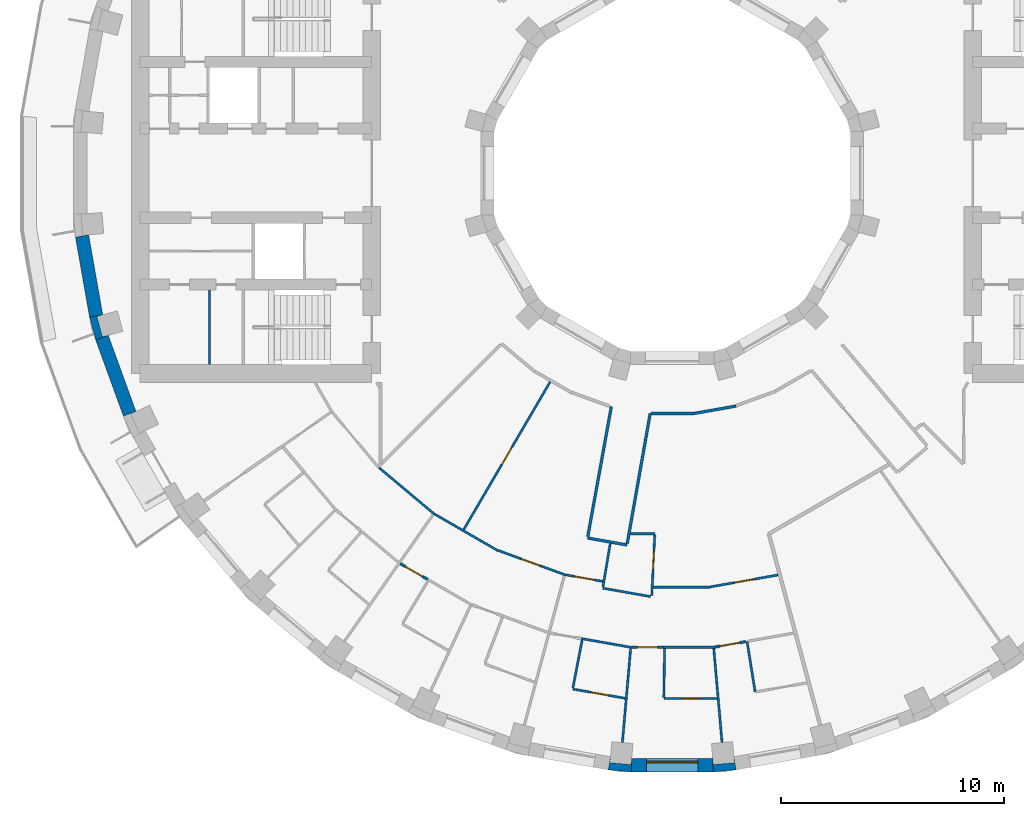
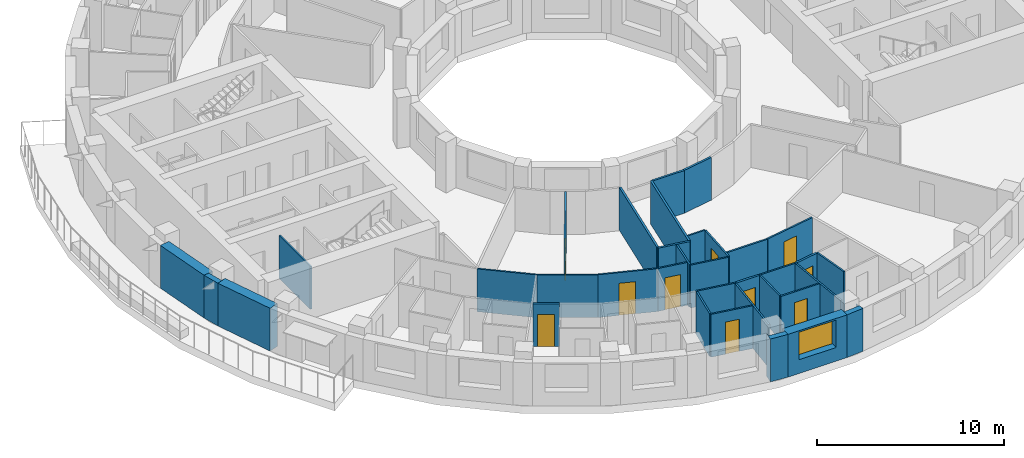
# One storey, part 3 of 12: 35 walls, 10 doors, 1 window, 11 openings.
"""IFC4 building model written with IfcOpenShell, lengths in metres."""

from ifc_helpers import new_model, si_unit, direction, frame, frame_2d, origin, place, context, subcontext, project, spatial, polyline, rectangle, outline, extrude, material, layer, layer_set, type_object, element, fill, save


model = new_model("IFC4")

# Units and contexts
model_context = context("Model", 3, precision=1e-05, world=origin(), true_north=direction((0.0, 1.0)))
body_context = subcontext(model_context, "Body", "Model", "MODEL_VIEW")
ifc_project = project(units=[si_unit("LENGTHUNIT", "METRE"), si_unit("AREAUNIT", "SQUARE_METRE"), si_unit("VOLUMEUNIT", "CUBIC_METRE"), si_unit("PLANEANGLEUNIT", "RADIAN"), si_unit("MASSUNIT", "GRAM", prefix="KILO")], contexts=[model_context])

# Site, building, storey
site_placement = place(None, origin())
site = spatial("IfcSite", under=ifc_project, at=site_placement, CompositionType="ELEMENT")
building_placement = place(site_placement, origin())
building = spatial("IfcBuilding", under=site, at=building_placement, Name="Saqina Gate Tower", CompositionType="ELEMENT")
storey_placement = place(building_placement, frame((0.0, 0.0, 111.699951171875)))
storey = spatial("IfcBuildingStorey", under=building, at=storey_placement, Name="L31", CompositionType="ELEMENT", Elevation=111.699951171875)

# Walls
ifc_material_1 = material(Name="Brick masonry (buff)", Category="masonry")
wall_type_1 = type_object("IfcWallType", Name="BRICK PIER COPING BUFF", PredefinedType="SOLIDWALL", material=ifc_material_1)
wall_1_placement = place(storey_placement, origin())
element("IfcWall", 1, at=wall_1_placement, inside=storey, type_object=wall_type_1, Name="Pier cap L31 column 20", PredefinedType="SOLIDWALL", context=body_context, shape_type="SweptSolid", body=[
    extrude(outline(polyline([(-26.171875, -6.466796875), (-25.89892578125, -7.485595703125), (-25.335205078125, -7.2802734375), (-25.5947265625, -7.349853515625), (-25.8408203125, -6.43212890625), (-25.5810546875, -6.36279296875), (-26.171875, -6.466796875)])), origin(), (0.0, 0.0, 1.0), 2.800048828125),
])
wall_2_placement = place(storey_placement, origin())
element("IfcWall", 2, at=wall_2_placement, inside=storey, type_object=wall_type_1, Name="Pier cap L31 column 27", PredefinedType="SOLIDWALL", context=body_context, shape_type="SweptSolid", body=[
    extrude(outline(polyline([(-2.87451171875, -26.805419921875), (-1.823974609375, -26.897216796875), (-1.823974609375, -26.29736328125), (-1.847412109375, -26.565185546875), (-2.793701171875, -26.482421875), (-2.770263671875, -26.214599609375), (-2.87451171875, -26.805419921875)])), origin(), (0.0, 0.0, 1.0), 2.800048828125),
])
wall_3_placement = place(storey_placement, origin())
element("IfcWall", 3, at=wall_3_placement, inside=storey, type_object=wall_type_1, Name="Pier cap L31 column 28", PredefinedType="SOLIDWALL", context=body_context, shape_type="SweptSolid", body=[
    extrude(outline(polyline([(2.87451171875, -26.805419921875), (2.770263671875, -26.214599609375), (2.793701171875, -26.482421875), (1.847412109375, -26.565185546875), (1.823974609375, -26.29736328125), (1.823974609375, -26.897216796875), (2.87451171875, -26.805419921875)])), origin(), (0.0, 0.0, 1.0), 2.800048828125),
])
ifc_material_2 = material(Name="Gypsum board on steel studs", Category="steel")
ifc_layer_1 = layer(ifc_material_2, 0.10009765625)
ifc_layer_set_1 = layer_set([ifc_layer_1], Name="CORE PARTITION")
wall_type_2 = type_object("IfcWallType", Name="CORE PARTITION", PredefinedType="PARTITIONING", material=ifc_layer_set_1)
wall_4_placement = place(storey_placement, frame((-20.782958984375, -8.60009765625, 0.0), z_axis=(0.0, 0.0, 1.0), x_axis=(0.0, 1.0, 0.0)))
element("IfcWall", 4, at=wall_4_placement, inside=storey, type_object=wall_type_2, Name="L31-CP-W13", PredefinedType="PARTITIONING", context=body_context, shape_type="SweptSolid", body=[
    extrude(rectangle(XDim=3.35009765625, YDim=0.10009765625, at=frame_2d((1.675048828125, 0.0))), origin(), (0.0, 0.0, 1.0), 2.800048828125),
])

# Wall, opening, window
ifc_material_3 = material(Name="Brick masonry (buff)", Category="masonry")
ifc_layer_2 = layer(ifc_material_3, 0.60009765625)
ifc_layer_set_2 = layer_set([ifc_layer_2], Name="FW-BRICK-BUFF")
wall_type_3 = type_object("IfcWallType", Name="FW-BRICK-BUFF", PredefinedType="SOLIDWALL", material=ifc_layer_set_2)
wall_5_placement = place(storey_placement, frame((-1.823974609375, -26.59716796875, 0.0), z_axis=(0.0, 0.0, 1.0), x_axis=(1.0, 0.0, 0.0)))
wall_5 = element("IfcWall", 5, at=wall_5_placement, inside=storey, type_object=wall_type_3, Name="Facade wall L31 facet 27", PredefinedType="SOLIDWALL", context=body_context, shape_type="SweptSolid", body=[
    extrude(rectangle(XDim=3.64794921875, YDim=0.60009765625, at=frame_2d((1.823974609375, 0.0))), origin(), (0.0, 0.0, 1.0), 2.800048828125),
])
opening_1_placement = place(wall_5_placement, frame((0.673828125, 0.0, 0.89990234375)))
opening_1 = element("IfcOpeningElement", 6, at=opening_1_placement, cuts=wall_5, Name="Opening G09-W19", PredefinedType="OPENING", context=body_context, shape_type="SweptSolid", body=[
    extrude(rectangle(XDim=2.300048828125, YDim=1.800048828125, at=frame_2d((1.14990234375, 0.89990234375))), frame((0.0, 0.31201171875, 0.0), z_axis=(0.0, -1.0, 0.0), x_axis=(1.0, 0.0, 0.0)), (0.0, 0.0, 1.0), 0.6240234375),
])
ifc_material_4 = material(Name="Aluminium glazing", Category="aluminium")
window_type = type_object("IfcWindowType", Name="WN-B", PartitioningType="SINGLE_PANEL", PredefinedType="WINDOW", material=ifc_material_4)
window_placement = place(opening_1_placement, origin())
window = element("IfcWindow", 7, at=window_placement, inside=storey, type_object=window_type, Name="Window L31 facet 27", OverallHeight=1.800048828125, OverallWidth=2.300048828125, PartitioningType="SINGLE_PANEL", PredefinedType="WINDOW", context=body_context, shape_type="SweptSolid", body=[
    extrude(rectangle(XDim=2.300048828125, YDim=1.800048828125, at=frame_2d((1.14990234375, 0.89990234375))), frame((0.0, 0.179931640625, 0.0), z_axis=(0.0, -1.0, 0.0), x_axis=(1.0, 0.0, 0.0)), (0.0, 0.0, 1.0), 0.06005859375),
])
fill(opening_1, window)

# Walls
ifc_material_5 = material(Name="Glazed ceramic tile", Category="ceramic")
ifc_layer_3 = layer(ifc_material_5, 0.60009765625)
ifc_layer_set_3 = layer_set([ifc_layer_3], Name="FW-TILE")
wall_type_4 = type_object("IfcWallType", Name="FW-TILE", PredefinedType="SOLIDWALL", material=ifc_layer_set_3)
wall_6_placement = place(storey_placement, frame((-25.616943359375, -7.3828125, 0.0), z_axis=(0.0, 0.0, 1.0), x_axis=(0.341990236633, -0.939703505393, 0.0)))
element("IfcWall", 8, at=wall_6_placement, inside=storey, type_object=wall_type_4, Name="Facade wall L31 facet 20", PredefinedType="SOLIDWALL", context=body_context, shape_type="SweptSolid", body=[
    extrude(rectangle(XDim=3.64794921875, YDim=0.60009765625, at=frame_2d((1.823974609375, 0.0))), origin(), (0.0, 0.0, 1.0), 2.800048828125),
])
ifc_material_6 = material(Name="Glazed ceramic tile (dark blue)", Category="ceramic")
ifc_layer_4 = layer(ifc_material_6, 0.60009765625)
ifc_layer_set_4 = layer_set([ifc_layer_4], Name="FW-TILE-CB")
wall_type_5 = type_object("IfcWallType", Name="FW-TILE-CB", PredefinedType="SOLIDWALL", material=ifc_layer_set_4)
wall_7_placement = place(storey_placement, frame((-26.510009765625, -2.822265625, 0.0), z_axis=(0.0, 0.0, 1.0), x_axis=(0.173670796382, -0.984803764455, 0.0)))
element("IfcWall", 9, at=wall_7_placement, inside=storey, type_object=wall_type_5, Name="Facade wall L31 facet 19", PredefinedType="SOLIDWALL", context=body_context, shape_type="SweptSolid", body=[
    extrude(rectangle(XDim=3.64794921875, YDim=0.60009765625, at=frame_2d((1.823974609375, 0.0))), origin(), (0.0, 0.0, 1.0), 2.800048828125),
])
ifc_material_7 = material(Name="Gypsum board on steel studs, 100 mm", Category="steel")
ifc_layer_5 = layer(ifc_material_7, 0.10009765625)
ifc_layer_set_5 = layer_set([ifc_layer_5], Name="PARTITION 100")
wall_type_6 = type_object("IfcWallType", Name="PARTITION 100", PredefinedType="PARTITIONING", material=ifc_layer_set_5)
wall_8_placement = place(storey_placement, frame((1.866455078125, -21.346923828125, 0.0), z_axis=(0.0, 0.0, 1.0), x_axis=(0.087475042973, -0.996166711378, 0.0)))
element("IfcWall", 10, at=wall_8_placement, inside=storey, type_object=wall_type_6, Name="PARTITION PW3-02", PredefinedType="PARTITIONING", context=body_context, shape_type="SweptSolid", body=[
    extrude(rectangle(XDim=4.23681640625, YDim=0.10009765625, at=frame_2d((2.118408203125, 0.0))), origin(), (0.0, 0.0, 1.0), 2.800048828125),
])
wall_9_placement = place(storey_placement, frame((3.362060546875, -21.032958984375, 0.0), z_axis=(0.0, 0.0, 1.0), x_axis=(0.157853871444, -0.987462482968, 0.0)))
element("IfcWall", 11, at=wall_9_placement, inside=storey, type_object=wall_type_6, Name="PARTITION PW3-04", PredefinedType="PARTITIONING", context=body_context, shape_type="SweptSolid", body=[
    extrude(rectangle(XDim=2.2998046875, YDim=0.10009765625, at=frame_2d((1.14990234375, 0.0))), origin(), (0.0, 0.0, 1.0), 2.800048828125),
])
wall_10_placement = place(storey_placement, frame((-13.163818359375, -13.234130859375, 0.0), z_axis=(0.0, 0.0, 1.0), x_axis=(0.766028328168, -0.642806814248, 0.0)))
element("IfcWall", 12, at=wall_10_placement, inside=storey, type_object=wall_type_6, Name="PARTITION PW3-26", PredefinedType="PARTITIONING", context=body_context, shape_type="SweptSolid", body=[
    extrude(rectangle(XDim=3.25537109375, YDim=0.10009765625, at=frame_2d((1.627685546875, 0.0))), origin(), (0.0, 0.0, 1.0), 2.800048828125),
])
wall_11_placement = place(storey_placement, frame((-10.665771484375, -15.319091796875, 0.0), z_axis=(0.0, 0.0, 1.0), x_axis=(0.866019502567, -0.500010221068, 0.0)))
element("IfcWall", 13, at=wall_11_placement, inside=storey, type_object=wall_type_6, Name="PARTITION PW3-33", PredefinedType="PARTITIONING", context=body_context, shape_type="SweptSolid", body=[
    extrude(rectangle(XDim=3.255859375, YDim=0.10009765625, at=frame_2d((1.6279296875, 0.0))), origin(), (0.0, 0.0, 1.0), 2.800048828125),
])

# Wall, opening, door
wall_12_placement = place(storey_placement, frame((-7.843017578125, -16.93798828125, 0.0), z_axis=(0.0, 0.0, 1.0), x_axis=(0.939697033511, -0.34200801922, 0.0)))
wall_12 = element("IfcWall", 14, at=wall_12_placement, inside=storey, type_object=wall_type_6, Name="PARTITION PW3-40", PredefinedType="PARTITIONING", context=body_context, shape_type="SweptSolid", body=[
    extrude(rectangle(XDim=3.255126953125, YDim=0.10009765625, at=frame_2d((1.62744140625, 0.0))), origin(), (0.0, 0.0, 1.0), 2.800048828125),
])
opening_2_placement = place(wall_12_placement, frame((1.127197265625, 0.0, 0.0)))
opening_2 = element("IfcOpeningElement", 15, at=opening_2_placement, cuts=wall_12, Name="Opening G09-D39", PredefinedType="OPENING", context=body_context, shape_type="SweptSolid", body=[
    extrude(rectangle(XDim=0.89990234375, YDim=2.10009765625, at=frame_2d((0.449951171875, 1.050048828125))), frame((0.0, 0.06201171875, 0.0), z_axis=(0.0, -1.0, 0.0), x_axis=(1.0, 0.0, 0.0)), (0.0, 0.0, 1.0), 0.1240234375),
])
ifc_material_8 = material(Name="Timber door leaf, 900 mm", Category="wood")
door_type_1 = type_object("IfcDoorType", Name="DOOR 900 TIMBER", OperationType="SINGLE_SWING_LEFT", PredefinedType="DOOR", material=ifc_material_8)
door_1_placement = place(opening_2_placement, origin())
door_1 = element("IfcDoor", 16, at=door_1_placement, inside=storey, type_object=door_type_1, Name="DOOR G09-D39", OperationType="SINGLE_SWING_LEFT", OverallHeight=2.10009765625, OverallWidth=0.89990234375, PredefinedType="DOOR", context=body_context, shape_type="SweptSolid", body=[
    extrude(rectangle(XDim=0.89990234375, YDim=2.10009765625, at=frame_2d((0.449951171875, 1.050048828125))), frame((0.0, 0.02490234375, 0.0), z_axis=(0.0, -1.0, 0.0), x_axis=(1.0, 0.0, 0.0)), (0.0, 0.0, 1.0), 0.050048828125),
])
fill(opening_2, door_1)

wall_13_placement = place(storey_placement, frame((-4.469970703125, -23.173095703125, 0.0), z_axis=(0.0, 0.0, 1.0), x_axis=(0.984826665662, -0.173540884522, 0.0)))
wall_13 = element("IfcWall", 17, at=wall_13_placement, inside=storey, type_object=wall_type_6, Name="PARTITION PW3-45", PredefinedType="PARTITIONING", context=body_context, shape_type="SweptSolid", body=[
    extrude(rectangle(XDim=2.39306640625, YDim=0.10009765625, at=frame_2d((1.196533203125, 0.0))), origin(), (0.0, 0.0, 1.0), 2.800048828125),
])
opening_3_placement = place(wall_13_placement, frame((0.821533203125, 0.0, 0.0)))
opening_3 = element("IfcOpeningElement", 18, at=opening_3_placement, cuts=wall_13, Name="Opening G09-D43", PredefinedType="OPENING", context=body_context, shape_type="SweptSolid", body=[
    extrude(rectangle(XDim=0.800048828125, YDim=2.10009765625, at=frame_2d((0.39990234375, 1.050048828125))), frame((0.0, 0.06201171875, 0.0), z_axis=(0.0, -1.0, 0.0), x_axis=(1.0, 0.0, 0.0)), (0.0, 0.0, 1.0), 0.1240234375),
])
ifc_material_9 = material(Name="Timber door leaf, 800 mm", Category="wood")
door_type_2 = type_object("IfcDoorType", Name="DOOR 800 TIMBER", OperationType="SINGLE_SWING_LEFT", PredefinedType="DOOR", material=ifc_material_9)
door_2_placement = place(opening_3_placement, frame((0.800048828125, 0.0, 0.0), z_axis=(0.0, 0.0, 1.0), x_axis=(-1.0, 0.0, 0.0)))
door_2 = element("IfcDoor", 19, at=door_2_placement, inside=storey, type_object=door_type_2, Name="DOOR G09-D43", OperationType="SINGLE_SWING_LEFT", OverallHeight=2.10009765625, OverallWidth=0.800048828125, PredefinedType="DOOR", context=body_context, shape_type="SweptSolid", body=[
    extrude(rectangle(XDim=0.800048828125, YDim=2.10009765625, at=frame_2d((0.39990234375, 1.050048828125))), frame((0.0, 0.02490234375, 0.0), z_axis=(0.0, -1.0, 0.0), x_axis=(1.0, 0.0, 0.0)), (0.0, 0.0, 1.0), 0.050048828125),
])
fill(opening_3, door_2)

# Walls
wall_14_placement = place(storey_placement, frame((-4.084228515625, -20.9052734375, 0.0), z_axis=(0.0, 0.0, 1.0), x_axis=(0.984796344358, -0.173712866935, 0.0)))
element("IfcWall", 20, at=wall_14_placement, inside=storey, type_object=wall_type_6, Name="PARTITION PW3-46", PredefinedType="PARTITIONING", context=body_context, shape_type="SweptSolid", body=[
    extrude(rectangle(XDim=2.306396484375, YDim=0.10009765625, at=frame_2d((1.1533203125, 0.0))), origin(), (0.0, 0.0, 1.0), 2.800048828125),
])
wall_15_placement = place(storey_placement, frame((-3.118896484375, -18.64111328125, 0.0), z_axis=(0.0, 0.0, 1.0), x_axis=(0.984804954455, -0.173664048326, 0.0)))
element("IfcWall", 21, at=wall_15_placement, inside=storey, type_object=wall_type_6, Name="PARTITION PW3-47", PredefinedType="PARTITIONING", context=body_context, shape_type="SweptSolid", body=[
    extrude(rectangle(XDim=2.181884765625, YDim=0.10009765625, at=frame_2d((1.0908203125, 0.0))), origin(), (0.0, 0.0, 1.0), 2.800048828125),
])

# Wall, opening, door
wall_16_placement = place(storey_placement, frame((-4.78271484375, -18.042724609375, 0.0), z_axis=(0.0, 0.0, 1.0), x_axis=(0.98477046178, -0.173859534124, 0.0)))
wall_16 = element("IfcWall", 22, at=wall_16_placement, inside=storey, type_object=wall_type_6, Name="PARTITION PW3-48", PredefinedType="PARTITIONING", context=body_context, shape_type="SweptSolid", body=[
    extrude(rectangle(XDim=1.689208984375, YDim=0.10009765625, at=frame_2d((0.8447265625, 0.0))), origin(), (0.0, 0.0, 1.0), 2.800048828125),
])
opening_4_placement = place(wall_16_placement, frame((0.39453125, 0.0, 0.0)))
opening_4 = element("IfcOpeningElement", 23, at=opening_4_placement, cuts=wall_16, Name="Opening G09-D42", PredefinedType="OPENING", context=body_context, shape_type="SweptSolid", body=[
    extrude(rectangle(XDim=0.89990234375, YDim=2.10009765625, at=frame_2d((0.449951171875, 1.050048828125))), frame((0.0, 0.06201171875, 0.0), z_axis=(0.0, -1.0, 0.0), x_axis=(1.0, 0.0, 0.0)), (0.0, 0.0, 1.0), 0.1240234375),
])
door_3_placement = place(opening_4_placement, origin())
door_3 = element("IfcDoor", 24, at=door_3_placement, inside=storey, type_object=door_type_1, Name="DOOR G09-D42", OperationType="SINGLE_SWING_RIGHT", OverallHeight=2.10009765625, OverallWidth=0.89990234375, PredefinedType="DOOR", context=body_context, shape_type="SweptSolid", body=[
    extrude(rectangle(XDim=0.89990234375, YDim=2.10009765625, at=frame_2d((0.449951171875, 1.050048828125))), frame((0.0, 0.02490234375, 0.0), z_axis=(0.0, -1.0, 0.0), x_axis=(1.0, 0.0, 0.0)), (0.0, 0.0, 1.0), 0.050048828125),
])
fill(opening_4, door_3)

wall_17_placement = place(storey_placement, frame((-0.3779296875, -23.596923828125, 0.0), z_axis=(0.0, 0.0, 1.0), x_axis=(1.0, 0.0, 0.0)))
wall_17 = element("IfcWall", 25, at=wall_17_placement, inside=storey, type_object=wall_type_6, Name="PARTITION PW3-51", PredefinedType="PARTITIONING", context=body_context, shape_type="SweptSolid", body=[
    extrude(rectangle(XDim=2.391845703125, YDim=0.10009765625, at=frame_2d((1.19580078125, 0.0))), origin(), (0.0, 0.0, 1.0), 2.800048828125),
])
opening_5_placement = place(wall_17_placement, frame((0.821044921875, 0.0, 0.0)))
opening_5 = element("IfcOpeningElement", 26, at=opening_5_placement, cuts=wall_17, Name="Opening G09-D46", PredefinedType="OPENING", context=body_context, shape_type="SweptSolid", body=[
    extrude(rectangle(XDim=0.800048828125, YDim=2.10009765625, at=frame_2d((0.39990234375, 1.050048828125))), frame((0.0, 0.06201171875, 0.0), z_axis=(0.0, -1.0, 0.0), x_axis=(1.0, 0.0, 0.0)), (0.0, 0.0, 1.0), 0.1240234375),
])
door_4_placement = place(opening_5_placement, frame((0.800048828125, 0.0, 0.0), z_axis=(0.0, 0.0, 1.0), x_axis=(-1.0, 0.0, 0.0)))
door_4 = element("IfcDoor", 27, at=door_4_placement, inside=storey, type_object=door_type_2, Name="DOOR G09-D46", OperationType="SINGLE_SWING_LEFT", OverallHeight=2.10009765625, OverallWidth=0.800048828125, PredefinedType="DOOR", context=body_context, shape_type="SweptSolid", body=[
    extrude(rectangle(XDim=0.800048828125, YDim=2.10009765625, at=frame_2d((0.39990234375, 1.050048828125))), frame((0.0, 0.02490234375, 0.0), z_axis=(0.0, -1.0, 0.0), x_axis=(1.0, 0.0, 0.0)), (0.0, 0.0, 1.0), 0.050048828125),
])
fill(opening_5, door_4)

# Walls
wall_18_placement = place(storey_placement, frame((-0.39111328125, -21.297119140625, 0.0), z_axis=(0.0, 0.0, 1.0), x_axis=(1.0, 0.0, 0.0)))
element("IfcWall", 28, at=wall_18_placement, inside=storey, type_object=wall_type_6, Name="PARTITION PW3-52", PredefinedType="PARTITIONING", context=body_context, shape_type="SweptSolid", body=[
    extrude(rectangle(XDim=2.304931640625, YDim=0.10009765625, at=frame_2d((1.15234375, 0.0))), origin(), (0.0, 0.0, 1.0), 2.800048828125),
])
wall_19_placement = place(storey_placement, frame((-0.84912109375, -18.59912109375, 0.0), z_axis=(0.0, 0.0, 1.0), x_axis=(1.0, 0.0, 0.0)))
element("IfcWall", 29, at=wall_19_placement, inside=storey, type_object=wall_type_6, Name="PARTITION PW3-53", PredefinedType="PARTITIONING", context=body_context, shape_type="SweptSolid", body=[
    extrude(rectangle(XDim=2.52685546875, YDim=0.10009765625, at=frame_2d((1.263427734375, 0.0))), origin(), (0.0, 0.0, 1.0), 2.800048828125),
])
wall_20_placement = place(storey_placement, frame((-1.880615234375, -16.201904296875, 0.0), z_axis=(0.0, 0.0, 1.0), x_axis=(1.0, 0.0, 0.0)))
element("IfcWall", 30, at=wall_20_placement, inside=storey, type_object=wall_type_6, Name="PARTITION PW3-54", PredefinedType="PARTITIONING", context=body_context, shape_type="SweptSolid", body=[
    extrude(rectangle(XDim=1.09765625, YDim=0.10009765625, at=frame_2d((0.548828125, 0.0))), origin(), (0.0, 0.0, 1.0), 2.800048828125),
])

# Wall, opening, door
wall_21_placement = place(storey_placement, frame((1.67626953125, -18.59033203125, 0.0), z_axis=(0.0, 0.0, 1.0), x_axis=(0.984818097546, 0.173589500677, 0.0)))
wall_21 = element("IfcWall", 31, at=wall_21_placement, inside=storey, type_object=wall_type_6, Name="PARTITION PW3-60", PredefinedType="PARTITIONING", context=body_context, shape_type="SweptSolid", body=[
    extrude(rectangle(XDim=3.12939453125, YDim=0.10009765625, at=frame_2d((1.564697265625, 0.0))), origin(), (0.0, 0.0, 1.0), 2.800048828125),
])
opening_6_placement = place(wall_21_placement, frame((1.127197265625, 0.0, 0.0)))
opening_6 = element("IfcOpeningElement", 32, at=opening_6_placement, cuts=wall_21, Name="Opening G09-D48", PredefinedType="OPENING", context=body_context, shape_type="SweptSolid", body=[
    extrude(rectangle(XDim=0.89990234375, YDim=2.10009765625, at=frame_2d((0.449951171875, 1.050048828125))), frame((0.0, 0.06201171875, 0.0), z_axis=(0.0, -1.0, 0.0), x_axis=(1.0, 0.0, 0.0)), (0.0, 0.0, 1.0), 0.1240234375),
])
door_5_placement = place(opening_6_placement, origin())
door_5 = element("IfcDoor", 33, at=door_5_placement, inside=storey, type_object=door_type_1, Name="DOOR G09-D48", OperationType="SINGLE_SWING_RIGHT", OverallHeight=2.10009765625, OverallWidth=0.89990234375, PredefinedType="DOOR", context=body_context, shape_type="SweptSolid", body=[
    extrude(rectangle(XDim=0.89990234375, YDim=2.10009765625, at=frame_2d((0.449951171875, 1.050048828125))), frame((0.0, 0.02490234375, 0.0), z_axis=(0.0, -1.0, 0.0), x_axis=(1.0, 0.0, 0.0)), (0.0, 0.0, 1.0), 0.050048828125),
])
fill(opening_6, door_5)

wall_22_placement = place(storey_placement, frame((-9.36572265625, -16.01171875, 0.0), z_axis=(0.0, 0.0, 1.0), x_axis=(0.504907426376, 0.863173499819, 0.0)))
wall_22 = element("IfcWall", 34, at=wall_22_placement, inside=storey, type_object=wall_type_6, Name="PARTITION PW3-86", PredefinedType="PARTITIONING", context=body_context, shape_type="SweptSolid", body=[
    extrude(rectangle(XDim=7.686767578125, YDim=0.10009765625, at=frame_2d((3.84326171875, 0.0))), origin(), (0.0, 0.0, 1.0), 2.800048828125),
])
opening_7_placement = place(wall_22_placement, frame((3.400390625, 0.0, 0.0)))
opening_7 = element("IfcOpeningElement", 35, at=opening_7_placement, cuts=wall_22, Name="Opening G09-D36", PredefinedType="OPENING", context=body_context, shape_type="SweptSolid", body=[
    extrude(rectangle(XDim=0.89990234375, YDim=2.10009765625, at=frame_2d((0.449951171875, 1.050048828125))), frame((0.0, 0.06201171875, 0.0), z_axis=(0.0, -1.0, 0.0), x_axis=(1.0, 0.0, 0.0)), (0.0, 0.0, 1.0), 0.1240234375),
])
door_6_placement = place(opening_7_placement, frame((0.89990234375, 0.0, 0.0), z_axis=(0.0, 0.0, 1.0), x_axis=(-1.0, 0.0, 0.0)))
door_6 = element("IfcDoor", 36, at=door_6_placement, inside=storey, type_object=door_type_1, Name="DOOR G09-D36", OperationType="SINGLE_SWING_LEFT", OverallHeight=2.10009765625, OverallWidth=0.89990234375, PredefinedType="DOOR", context=body_context, shape_type="SweptSolid", body=[
    extrude(rectangle(XDim=0.89990234375, YDim=2.10009765625, at=frame_2d((0.449951171875, 1.050048828125))), frame((0.0, 0.02490234375, 0.0), z_axis=(0.0, -1.0, 0.0), x_axis=(1.0, 0.0, 0.0)), (0.0, 0.0, 1.0), 0.050048828125),
])
fill(opening_7, door_6)

# Walls
wall_23_placement = place(storey_placement, frame((-4.46044921875, -23.1240234375, 0.0), z_axis=(0.0, 0.0, 1.0), x_axis=(0.189008785522, 0.981975396329, 0.0)))
element("IfcWall", 37, at=wall_23_placement, inside=storey, type_object=wall_type_6, Name="PARTITION PW3-100", PredefinedType="PARTITIONING", context=body_context, shape_type="SweptSolid", body=[
    extrude(rectangle(XDim=2.188232421875, YDim=0.10009765625, at=frame_2d((1.09423828125, 0.0))), origin(), (0.0, 0.0, 1.0), 2.800048828125),
])
wall_24_placement = place(storey_placement, frame((-3.110595703125, -18.590576171875, 0.0), z_axis=(0.0, 0.0, 1.0), x_axis=(0.164837501203, 0.986320737994, 0.0)))
element("IfcWall", 38, at=wall_24_placement, inside=storey, type_object=wall_type_6, Name="PARTITION PW3-101", PredefinedType="PARTITIONING", context=body_context, shape_type="SweptSolid", body=[
    extrude(rectangle(XDim=1.986083984375, YDim=0.10009765625, at=frame_2d((0.9931640625, 0.0))), origin(), (0.0, 0.0, 1.0), 2.800048828125),
])
wall_25_placement = place(storey_placement, frame((-2.237060546875, -25.5673828125, 0.0), z_axis=(0.0, 0.0, 1.0), x_axis=(0.087445126958, 0.9961693379, 0.0)))
element("IfcWall", 39, at=wall_25_placement, inside=storey, type_object=wall_type_6, Name="PARTITION PW3-103", PredefinedType="PARTITIONING", context=body_context, shape_type="SweptSolid", body=[
    extrude(rectangle(XDim=4.22412109375, YDim=0.10009765625, at=frame_2d((2.112060546875, 0.0))), origin(), (0.0, 0.0, 1.0), 2.800048828125),
])

# Wall, opening, door
wall_26_placement = place(storey_placement, frame((-0.917724609375, -18.97900390625, 0.0), z_axis=(0.0, 0.0, 1.0), x_axis=(0.049018559161, 0.998797867868, 0.0)))
wall_26 = element("IfcWall", 40, at=wall_26_placement, inside=storey, type_object=wall_type_6, Name="PARTITION PW3-105", PredefinedType="PARTITIONING", context=body_context, shape_type="SweptSolid", body=[
    extrude(rectangle(XDim=2.729248046875, YDim=0.10009765625, at=frame_2d((1.36474609375, 0.0))), origin(), (0.0, 0.0, 1.0), 2.800048828125),
])
opening_8_placement = place(wall_26_placement, frame((1.179443359375, 0.0, 0.0)))
opening_8 = element("IfcOpeningElement", 41, at=opening_8_placement, cuts=wall_26, Name="Opening G09-D45", PredefinedType="OPENING", context=body_context, shape_type="SweptSolid", body=[
    extrude(rectangle(XDim=0.800048828125, YDim=2.10009765625, at=frame_2d((0.39990234375, 1.050048828125))), frame((0.0, 0.06201171875, 0.0), z_axis=(0.0, -1.0, 0.0), x_axis=(1.0, 0.0, 0.0)), (0.0, 0.0, 1.0), 0.1240234375),
])
door_7_placement = place(opening_8_placement, frame((0.800048828125, 0.0, 0.0), z_axis=(0.0, 0.0, 1.0), x_axis=(-1.0, 0.0, 0.0)))
door_7 = element("IfcDoor", 42, at=door_7_placement, inside=storey, type_object=door_type_2, Name="DOOR G09-D45", OperationType="SINGLE_SWING_LEFT", OverallHeight=2.10009765625, OverallWidth=0.800048828125, PredefinedType="DOOR", context=body_context, shape_type="SweptSolid", body=[
    extrude(rectangle(XDim=0.800048828125, YDim=2.10009765625, at=frame_2d((0.39990234375, 1.050048828125))), frame((0.0, 0.02490234375, 0.0), z_axis=(0.0, -1.0, 0.0), x_axis=(1.0, 0.0, 0.0)), (0.0, 0.0, 1.0), 0.050048828125),
])
fill(opening_8, door_7)

# Wall
wall_27_placement = place(storey_placement, frame((-0.377197265625, -23.547119140625, 0.0), z_axis=(0.0, 0.0, 1.0), x_axis=(0.016067560631, 0.999870908415, 0.0)))
element("IfcWall", 43, at=wall_27_placement, inside=storey, type_object=wall_type_6, Name="PARTITION PW3-106", PredefinedType="PARTITIONING", context=body_context, shape_type="SweptSolid", body=[
    extrude(rectangle(XDim=2.18798828125, YDim=0.10009765625, at=frame_2d((1.093994140625, 0.0))), origin(), (0.0, 0.0, 1.0), 2.800048828125),
])

# Wall, opening, door
ifc_material_10 = material(Name="Gypsum board on steel studs, 125 mm, fire rated", Category="steel")
ifc_layer_6 = layer(ifc_material_10, 0.125)
ifc_layer_set_6 = layer_set([ifc_layer_6], Name="PARTITION EI 30 125")
wall_type_7 = type_object("IfcWallType", Name="PARTITION EI 30 125", PredefinedType="PARTITIONING", material=ifc_layer_set_6)
wall_28_placement = place(storey_placement, frame((-12.21875, -17.537109375, 0.0), z_axis=(0.0, 0.0, 1.0), x_axis=(0.866036909293, -0.499980071345, 0.0)))
wall_28 = element("IfcWall", 44, at=wall_28_placement, inside=storey, type_object=wall_type_7, Name="PARTITION PW1-11", PredefinedType="PARTITIONING", context=body_context, shape_type="SweptSolid", body=[
    extrude(rectangle(XDim=1.421875, YDim=0.125, at=frame_2d((0.7109375, 0.0))), origin(), (0.0, 0.0, 1.0), 2.800048828125),
])
opening_9_placement = place(wall_28_placement, frame((0.260986328125, 0.0, 0.0)))
opening_9 = element("IfcOpeningElement", 45, at=opening_9_placement, cuts=wall_28, Name="Opening G09-D35", PredefinedType="OPENING", context=body_context, shape_type="SweptSolid", body=[
    extrude(rectangle(XDim=0.89990234375, YDim=2.10009765625, at=frame_2d((0.449951171875, 1.050048828125))), frame((0.0, 0.074462890625, 0.0), z_axis=(0.0, -1.0, 0.0), x_axis=(1.0, 0.0, 0.0)), (0.0, 0.0, 1.0), 0.14892578125),
])
ifc_material_11 = material(Name="Fire door leaf EI 30, 900 mm")
door_type_3 = type_object("IfcDoorType", Name="DOOR 900 EI 30", OperationType="SINGLE_SWING_LEFT", PredefinedType="DOOR", material=ifc_material_11)
door_8_placement = place(opening_9_placement, origin())
door_8 = element("IfcDoor", 46, at=door_8_placement, inside=storey, type_object=door_type_3, Name="DOOR G09-D35", OperationType="SINGLE_SWING_LEFT", OverallHeight=2.10009765625, OverallWidth=0.89990234375, PredefinedType="DOOR", context=body_context, shape_type="SweptSolid", body=[
    extrude(rectangle(XDim=0.89990234375, YDim=2.10009765625, at=frame_2d((0.449951171875, 1.050048828125))), frame((0.0, 0.02490234375, 0.0), z_axis=(0.0, -1.0, 0.0), x_axis=(1.0, 0.0, 0.0)), (0.0, 0.0, 1.0), 0.050048828125),
])
fill(opening_9, door_8)

# Wall
wall_29_placement = place(storey_placement, frame((-3.803955078125, -16.387939453125, 0.0), z_axis=(0.0, 0.0, 1.0), x_axis=(0.984772635564, -0.173847220985, 0.0)))
element("IfcWall", 47, at=wall_29_placement, inside=storey, type_object=wall_type_7, Name="PARTITION PW1-20", PredefinedType="PARTITIONING", context=body_context, shape_type="SweptSolid", body=[
    extrude(rectangle(XDim=1.80029296875, YDim=0.125, at=frame_2d((0.900146484375, 0.0))), origin(), (0.0, 0.0, 1.0), 2.800048828125),
])

# Wall, opening, door
wall_30_placement = place(storey_placement, frame((-1.81298828125, -21.297119140625, 0.0), z_axis=(0.0, 0.0, 1.0), x_axis=(1.0, 0.0, 0.0)))
wall_30 = element("IfcWall", 48, at=wall_30_placement, inside=storey, type_object=wall_type_7, Name="PARTITION PW1-23", PredefinedType="PARTITIONING", context=body_context, shape_type="SweptSolid", body=[
    extrude(rectangle(XDim=1.421875, YDim=0.125, at=frame_2d((0.7109375, 0.0))), origin(), (0.0, 0.0, 1.0), 2.800048828125),
])
opening_10_placement = place(wall_30_placement, frame((0.260986328125, 0.0, 0.0)))
opening_10 = element("IfcOpeningElement", 49, at=opening_10_placement, cuts=wall_30, Name="Opening G09-D44", PredefinedType="OPENING", context=body_context, shape_type="SweptSolid", body=[
    extrude(rectangle(XDim=0.89990234375, YDim=2.10009765625, at=frame_2d((0.449951171875, 1.050048828125))), frame((0.0, 0.074462890625, 0.0), z_axis=(0.0, -1.0, 0.0), x_axis=(1.0, 0.0, 0.0)), (0.0, 0.0, 1.0), 0.14892578125),
])
door_9_placement = place(opening_10_placement, origin())
door_9 = element("IfcDoor", 50, at=door_9_placement, inside=storey, type_object=door_type_3, Name="DOOR G09-D44", OperationType="SINGLE_SWING_LEFT", OverallHeight=2.10009765625, OverallWidth=0.89990234375, PredefinedType="DOOR", context=body_context, shape_type="SweptSolid", body=[
    extrude(rectangle(XDim=0.89990234375, YDim=2.10009765625, at=frame_2d((0.449951171875, 1.050048828125))), frame((0.0, 0.02490234375, 0.0), z_axis=(0.0, -1.0, 0.0), x_axis=(1.0, 0.0, 0.0)), (0.0, 0.0, 1.0), 0.050048828125),
])
fill(opening_10, door_9)

# Wall
wall_31_placement = place(storey_placement, frame((-0.945068359375, -10.800048828125, 0.0), z_axis=(0.0, 0.0, 1.0), x_axis=(1.0, 0.0, 0.0)))
element("IfcWall", 51, at=wall_31_placement, inside=storey, type_object=wall_type_7, Name="PARTITION PW1-24", PredefinedType="PARTITIONING", context=body_context, shape_type="SweptSolid", body=[
    extrude(rectangle(XDim=1.95361328125, YDim=0.125, at=frame_2d((0.976806640625, 0.0))), origin(), (0.0, 0.0, 1.0), 2.800048828125),
])

# Wall, opening, door
wall_32_placement = place(storey_placement, frame((1.912353515625, -21.288330078125, 0.0), z_axis=(0.0, 0.0, 1.0), x_axis=(0.984849170905, 0.173413121097, 0.0)))
wall_32 = element("IfcWall", 52, at=wall_32_placement, inside=storey, type_object=wall_type_7, Name="PARTITION PW1-28", PredefinedType="PARTITIONING", context=body_context, shape_type="SweptSolid", body=[
    extrude(rectangle(XDim=1.421875, YDim=0.125, at=frame_2d((0.7109375, 0.0))), origin(), (0.0, 0.0, 1.0), 2.800048828125),
])
opening_11_placement = place(wall_32_placement, frame((0.2373046875, 0.0, 0.0)))
opening_11 = element("IfcOpeningElement", 53, at=opening_11_placement, cuts=wall_32, Name="Opening G09-D47", PredefinedType="OPENING", context=body_context, shape_type="SweptSolid", body=[
    extrude(rectangle(XDim=0.89990234375, YDim=2.10009765625, at=frame_2d((0.449951171875, 1.050048828125))), frame((0.0, 0.074462890625, 0.0), z_axis=(0.0, -1.0, 0.0), x_axis=(1.0, 0.0, 0.0)), (0.0, 0.0, 1.0), 0.14892578125),
])
door_10_placement = place(opening_11_placement, origin())
door_10 = element("IfcDoor", 54, at=door_10_placement, inside=storey, type_object=door_type_3, Name="DOOR G09-D47", OperationType="SINGLE_SWING_LEFT", OverallHeight=2.10009765625, OverallWidth=0.89990234375, PredefinedType="DOOR", context=body_context, shape_type="SweptSolid", body=[
    extrude(rectangle(XDim=0.89990234375, YDim=2.10009765625, at=frame_2d((0.449951171875, 1.050048828125))), frame((0.0, 0.02490234375, 0.0), z_axis=(0.0, -1.0, 0.0), x_axis=(1.0, 0.0, 0.0)), (0.0, 0.0, 1.0), 0.050048828125),
])
fill(opening_11, door_10)

# Walls
wall_33_placement = place(storey_placement, frame((1.006591796875, -10.7890625, 0.0), z_axis=(0.0, 0.0, 1.0), x_axis=(0.984818645033, 0.173586394613, 0.0)))
element("IfcWall", 55, at=wall_33_placement, inside=storey, type_object=wall_type_7, Name="PARTITION PW1-29", PredefinedType="PARTITIONING", context=body_context, shape_type="SweptSolid", body=[
    extrude(rectangle(XDim=1.890380859375, YDim=0.125, at=frame_2d((0.9453125, 0.0))), origin(), (0.0, 0.0, 1.0), 2.800048828125),
])
wall_34_placement = place(storey_placement, frame((-3.79296875, -16.325439453125, 0.0), z_axis=(0.0, 0.0, 1.0), x_axis=(0.178389527964, 0.983959946498, 0.0)))
element("IfcWall", 56, at=wall_34_placement, inside=storey, type_object=wall_type_7, Name="PARTITION PW1-47", PredefinedType="PARTITIONING", context=body_context, shape_type="SweptSolid", body=[
    extrude(rectangle(XDim=5.935546875, YDim=0.125, at=frame_2d((2.9677734375, 0.0))), origin(), (0.0, 0.0, 1.0), 2.800048828125),
])
wall_35_placement = place(storey_placement, frame((-2.020263671875, -16.639404296875, 0.0), z_axis=(0.0, 0.0, 1.0), x_axis=(0.17368681293, 0.984800939791, 0.0)))
element("IfcWall", 57, at=wall_35_placement, inside=storey, type_object=wall_type_7, Name="PARTITION PW1-48", PredefinedType="PARTITIONING", context=body_context, shape_type="SweptSolid", body=[
    extrude(rectangle(XDim=5.9375, YDim=0.125, at=frame_2d((2.96875, 0.0))), origin(), (0.0, 0.0, 1.0), 2.800048828125),
])

save(model, "model.ifc")
